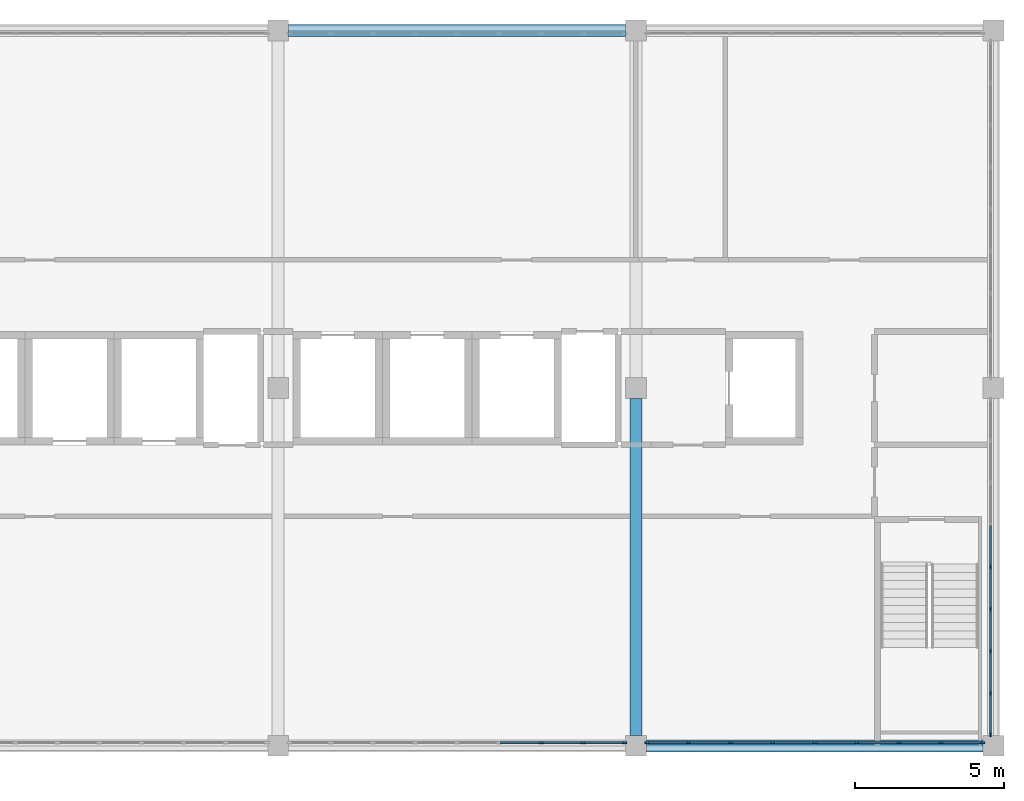
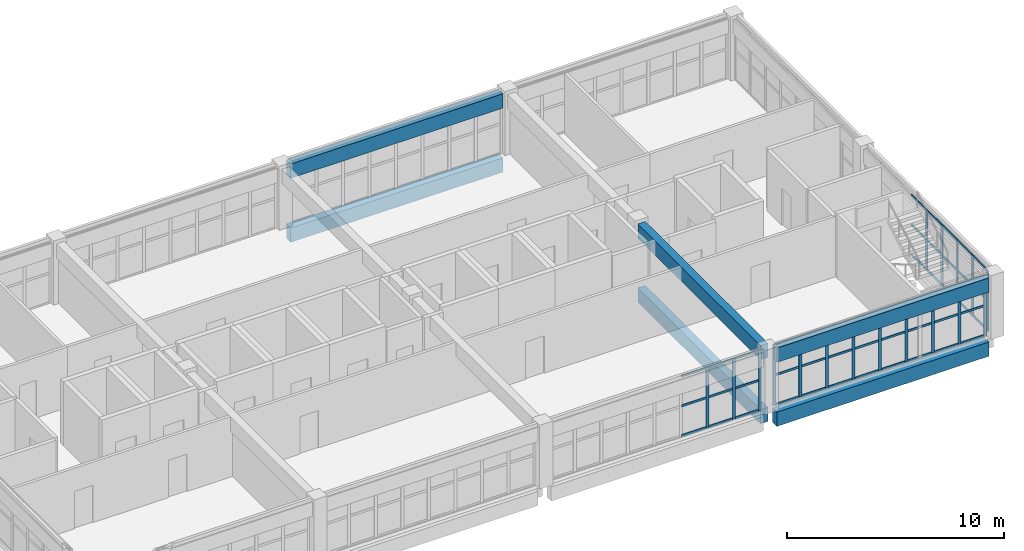
# One storey, part 7 of 16: 65 members, 6 beams, 3 elements without a shape of their own.
"""IFC4 building model written with IfcOpenShell, lengths in metres."""

from ifc_helpers import new_model, si_unit, direction, frame, origin, origin_2d, place, context, subcontext, project, spatial, rectangle, extrude, material, layer, layer_set, material_profile, profile_set, type_object, element, aggregate, save


model = new_model("IFC4")

# Units and contexts
model_context = context("Model", 3, precision=1e-05, world=origin(), true_north=direction((0.0, 1.0)))
body_context = subcontext(model_context, "Body", "Model", "MODEL_VIEW")
ifc_project = project(units=[si_unit("LENGTHUNIT", "METRE"), si_unit("AREAUNIT", "SQUARE_METRE"), si_unit("VOLUMEUNIT", "CUBIC_METRE"), si_unit("PLANEANGLEUNIT", "RADIAN"), si_unit("MASSUNIT", "GRAM", prefix="KILO")], contexts=[model_context])

# Site, building, storey
site_placement = place(None, origin())
site = spatial("IfcSite", under=ifc_project, at=site_placement, CompositionType="ELEMENT")
building_placement = place(site_placement, origin())
building = spatial("IfcBuilding", under=site, at=building_placement, Name="Lilac Gate Convention Centre", CompositionType="ELEMENT")
storey_placement = place(building_placement, frame((0.0, 0.0, 67.800048828125)))
storey = spatial("IfcBuildingStorey", under=building, at=storey_placement, Name="L17", CompositionType="ELEMENT", Elevation=67.800048828125)

# Curtain wall, members
ifc_material_1 = material(Name="Aluminium framed double glazing", Category="aluminium")
ifc_layer = layer(ifc_material_1, 0.199951171875)
ifc_layer_set = layer_set([ifc_layer], Name="Aluminium framed double glazing")
curtain_wall_type = type_object("IfcCurtainWallType", Name="Unitised curtain wall 1500", PredefinedType="NOTDEFINED", material=ifc_layer_set)
curtain_wall_1_placement = place(storey_placement, origin())
curtain_wall_1 = element("IfcCurtainWall", 1, at=curtain_wall_1_placement, inside=storey, type_object=curtain_wall_type, Name="Curtain wall S L17 3", PredefinedType="NOTDEFINED")
ifc_material_2 = material(Name="Aluminium alloy 6063", Category="aluminium")
ifc_material_profile_1 = material_profile(ifc_material_2, rectangle(XDim=0.06005859375, YDim=0.159912109375, at=origin_2d()), Name="Curtain wall mullion 60 x 160")
ifc_profile_set_1 = profile_set([ifc_material_profile_1], Name="Aluminium alloy 6063")
member_type_1 = type_object("IfcMemberType", Name="Curtain wall mullion 60 x 160", PredefinedType="MULLION", material=ifc_profile_set_1)
member_1_placement = place(storey_placement, frame((74.824951171875, 222.10009765625, 0.0), z_axis=(0.0, 0.0, 1.0), x_axis=(0.0, 1.0, 0.0)))
member_1 = element("IfcMember", 2, at=member_1_placement, type_object=member_type_1, Name="CW mullion 7", PredefinedType="MULLION", context=body_context, shape_type="SweptSolid", body=[
    extrude(rectangle(XDim=0.06005859375, YDim=0.159912109375, at=origin_2d()), origin(), (0.0, 0.0, 1.0), 3.39990234375),
])
member_2_placement = place(storey_placement, frame((76.237548828125, 222.10009765625, 0.0), z_axis=(0.0, 0.0, 1.0), x_axis=(0.0, 1.0, 0.0)))
member_2 = element("IfcMember", 3, at=member_2_placement, type_object=member_type_1, Name="CW mullion 8", PredefinedType="MULLION", context=body_context, shape_type="SweptSolid", body=[
    extrude(rectangle(XDim=0.06005859375, YDim=0.159912109375, at=origin_2d()), origin(), (0.0, 0.0, 1.0), 3.39990234375),
])
member_3_placement = place(storey_placement, frame((77.619873046875, 222.10009765625, 0.0), z_axis=(0.0, 0.0, 1.0), x_axis=(0.0, 1.0, 0.0)))
member_3 = element("IfcMember", 4, at=member_3_placement, type_object=member_type_1, Name="CW mullion 9", PredefinedType="MULLION", context=body_context, shape_type="SweptSolid", body=[
    extrude(rectangle(XDim=0.06005859375, YDim=0.159912109375, at=origin_2d()), origin(), (0.0, 0.0, 1.0), 3.39990234375),
])

curtain_wall_2_placement = place(storey_placement, origin())
curtain_wall_2 = element("IfcCurtainWall", 5, at=curtain_wall_2_placement, inside=storey, type_object=curtain_wall_type, Name="Curtain wall S L17 4", PredefinedType="NOTDEFINED")
member_4_placement = place(storey_placement, frame((78.380126953125, 222.10009765625, 0.0), z_axis=(0.0, 0.0, 1.0), x_axis=(0.0, 1.0, 0.0)))
member_4 = element("IfcMember", 6, at=member_4_placement, type_object=member_type_1, Name="CW mullion 1", PredefinedType="MULLION", context=body_context, shape_type="SweptSolid", body=[
    extrude(rectangle(XDim=0.06005859375, YDim=0.159912109375, at=origin_2d()), origin(), (0.0, 0.0, 1.0), 3.39990234375),
])
member_5_placement = place(storey_placement, frame((79.762451171875, 222.10009765625, 0.0), z_axis=(0.0, 0.0, 1.0), x_axis=(0.0, 1.0, 0.0)))
member_5 = element("IfcMember", 7, at=member_5_placement, type_object=member_type_1, Name="CW mullion 2", PredefinedType="MULLION", context=body_context, shape_type="SweptSolid", body=[
    extrude(rectangle(XDim=0.06005859375, YDim=0.159912109375, at=origin_2d()), origin(), (0.0, 0.0, 1.0), 3.39990234375),
])
member_6_placement = place(storey_placement, frame((81.175048828125, 222.10009765625, 0.0), z_axis=(0.0, 0.0, 1.0), x_axis=(0.0, 1.0, 0.0)))
member_6 = element("IfcMember", 8, at=member_6_placement, type_object=member_type_1, Name="CW mullion 3", PredefinedType="MULLION", context=body_context, shape_type="SweptSolid", body=[
    extrude(rectangle(XDim=0.06005859375, YDim=0.159912109375, at=origin_2d()), origin(), (0.0, 0.0, 1.0), 3.39990234375),
])
member_7_placement = place(storey_placement, frame((82.58740234375, 222.10009765625, 0.0), z_axis=(0.0, 0.0, 1.0), x_axis=(0.0, 1.0, 0.0)))
member_7 = element("IfcMember", 9, at=member_7_placement, type_object=member_type_1, Name="CW mullion 4", PredefinedType="MULLION", context=body_context, shape_type="SweptSolid", body=[
    extrude(rectangle(XDim=0.06005859375, YDim=0.159912109375, at=origin_2d()), origin(), (0.0, 0.0, 1.0), 3.39990234375),
])
member_8_placement = place(storey_placement, frame((84.0, 222.10009765625, 0.0), z_axis=(0.0, 0.0, 1.0), x_axis=(0.0, 1.0, 0.0)))
member_8 = element("IfcMember", 10, at=member_8_placement, type_object=member_type_1, Name="CW mullion 5", PredefinedType="MULLION", context=body_context, shape_type="SweptSolid", body=[
    extrude(rectangle(XDim=0.06005859375, YDim=0.159912109375, at=origin_2d()), origin(), (0.0, 0.0, 1.0), 3.39990234375),
])
member_9_placement = place(storey_placement, frame((85.41259765625, 222.10009765625, 0.0), z_axis=(0.0, 0.0, 1.0), x_axis=(0.0, 1.0, 0.0)))
member_9 = element("IfcMember", 11, at=member_9_placement, type_object=member_type_1, Name="CW mullion 6", PredefinedType="MULLION", context=body_context, shape_type="SweptSolid", body=[
    extrude(rectangle(XDim=0.06005859375, YDim=0.159912109375, at=origin_2d()), origin(), (0.0, 0.0, 1.0), 3.39990234375),
])
member_10_placement = place(storey_placement, frame((86.824951171875, 222.10009765625, 0.0), z_axis=(0.0, 0.0, 1.0), x_axis=(0.0, 1.0, 0.0)))
member_10 = element("IfcMember", 12, at=member_10_placement, type_object=member_type_1, Name="CW mullion 7", PredefinedType="MULLION", context=body_context, shape_type="SweptSolid", body=[
    extrude(rectangle(XDim=0.06005859375, YDim=0.159912109375, at=origin_2d()), origin(), (0.0, 0.0, 1.0), 3.39990234375),
])
member_11_placement = place(storey_placement, frame((88.237548828125, 222.10009765625, 0.0), z_axis=(0.0, 0.0, 1.0), x_axis=(0.0, 1.0, 0.0)))
member_11 = element("IfcMember", 13, at=member_11_placement, type_object=member_type_1, Name="CW mullion 8", PredefinedType="MULLION", context=body_context, shape_type="SweptSolid", body=[
    extrude(rectangle(XDim=0.06005859375, YDim=0.159912109375, at=origin_2d()), origin(), (0.0, 0.0, 1.0), 3.39990234375),
])
member_12_placement = place(storey_placement, frame((89.619873046875, 222.10009765625, 0.0), z_axis=(0.0, 0.0, 1.0), x_axis=(0.0, 1.0, 0.0)))
member_12 = element("IfcMember", 14, at=member_12_placement, type_object=member_type_1, Name="CW mullion 9", PredefinedType="MULLION", context=body_context, shape_type="SweptSolid", body=[
    extrude(rectangle(XDim=0.06005859375, YDim=0.159912109375, at=origin_2d()), origin(), (0.0, 0.0, 1.0), 3.39990234375),
])

curtain_wall_3_placement = place(storey_placement, origin())
curtain_wall_3 = element("IfcCurtainWall", 15, at=curtain_wall_3_placement, inside=storey, type_object=curtain_wall_type, Name="Curtain wall E L17 1", PredefinedType="NOTDEFINED")
member_13_placement = place(storey_placement, frame((89.89990234375, 222.380126953125, 0.0), z_axis=(0.0, 0.0, 1.0), x_axis=(-1.0, 0.0, 0.0)))
member_13 = element("IfcMember", 16, at=member_13_placement, type_object=member_type_1, Name="CW mullion 1", PredefinedType="MULLION", context=body_context, shape_type="SweptSolid", body=[
    extrude(rectangle(XDim=0.06005859375, YDim=0.159912109375, at=origin_2d()), origin(), (0.0, 0.0, 1.0), 3.39990234375),
])
member_14_placement = place(storey_placement, frame((89.89990234375, 223.762451171875, 0.0), z_axis=(0.0, 0.0, 1.0), x_axis=(-1.0, 0.0, 0.0)))
member_14 = element("IfcMember", 17, at=member_14_placement, type_object=member_type_1, Name="CW mullion 2", PredefinedType="MULLION", context=body_context, shape_type="SweptSolid", body=[
    extrude(rectangle(XDim=0.06005859375, YDim=0.159912109375, at=origin_2d()), origin(), (0.0, 0.0, 1.0), 3.39990234375),
])
member_15_placement = place(storey_placement, frame((89.89990234375, 225.175048828125, 0.0), z_axis=(0.0, 0.0, 1.0), x_axis=(-1.0, 0.0, 0.0)))
member_15 = element("IfcMember", 18, at=member_15_placement, type_object=member_type_1, Name="CW mullion 3", PredefinedType="MULLION", context=body_context, shape_type="SweptSolid", body=[
    extrude(rectangle(XDim=0.06005859375, YDim=0.159912109375, at=origin_2d()), origin(), (0.0, 0.0, 1.0), 3.39990234375),
])
member_16_placement = place(storey_placement, frame((89.89990234375, 226.58740234375, 0.0), z_axis=(0.0, 0.0, 1.0), x_axis=(-1.0, 0.0, 0.0)))
member_16 = element("IfcMember", 19, at=member_16_placement, type_object=member_type_1, Name="CW mullion 4", PredefinedType="MULLION", context=body_context, shape_type="SweptSolid", body=[
    extrude(rectangle(XDim=0.06005859375, YDim=0.159912109375, at=origin_2d()), origin(), (0.0, 0.0, 1.0), 3.39990234375),
])
member_17_placement = place(storey_placement, frame((89.89990234375, 228.0, 0.0), z_axis=(0.0, 0.0, 1.0), x_axis=(-1.0, 0.0, 0.0)))
member_17 = element("IfcMember", 20, at=member_17_placement, type_object=member_type_1, Name="CW mullion 5", PredefinedType="MULLION", context=body_context, shape_type="SweptSolid", body=[
    extrude(rectangle(XDim=0.06005859375, YDim=0.159912109375, at=origin_2d()), origin(), (0.0, 0.0, 1.0), 3.39990234375),
])

# Member
ifc_material_profile_2 = material_profile(ifc_material_2, rectangle(XDim=0.06005859375, YDim=0.1201171875, at=origin_2d()), Name="Curtain wall transom 60 x 120")
ifc_profile_set_2 = profile_set([ifc_material_profile_2], Name="Aluminium alloy 6063")
member_type_2 = type_object("IfcMemberType", Name="Curtain wall transom 60 x 120", PredefinedType="USERDEFINED", material=ifc_profile_set_2)
member_18_placement = place(storey_placement, frame((73.4423828125, 222.10009765625, 0.030029296875), z_axis=(1.0, 0.0, 0.0), x_axis=(0.0, 1.0, 0.0)))
member_18 = element("IfcMember", 21, at=member_18_placement, type_object=member_type_2, Name="CW transom 6.1", ObjectType="TRANSOM", PredefinedType="USERDEFINED", context=body_context, shape_type="SweptSolid", body=[
    extrude(rectangle(XDim=0.06005859375, YDim=0.1201171875, at=origin_2d()), origin(), (0.0, 0.0, 1.0), 1.3525390625),
])

member_19_placement = place(storey_placement, frame((73.4423828125, 222.10009765625, 1.699951171875), z_axis=(1.0, 0.0, 0.0), x_axis=(0.0, 1.0, 0.0)))
member_19 = element("IfcMember", 22, at=member_19_placement, type_object=member_type_2, Name="CW transom 6.2", ObjectType="TRANSOM", PredefinedType="USERDEFINED", context=body_context, shape_type="SweptSolid", body=[
    extrude(rectangle(XDim=0.06005859375, YDim=0.1201171875, at=origin_2d()), origin(), (0.0, 0.0, 1.0), 1.3525390625),
])

member_20_placement = place(storey_placement, frame((73.4423828125, 222.10009765625, 3.369873046875), z_axis=(1.0, 0.0, 0.0), x_axis=(0.0, 1.0, 0.0)))
member_20 = element("IfcMember", 23, at=member_20_placement, type_object=member_type_2, Name="CW transom 6.3", ObjectType="TRANSOM", PredefinedType="USERDEFINED", context=body_context, shape_type="SweptSolid", body=[
    extrude(rectangle(XDim=0.06005859375, YDim=0.1201171875, at=origin_2d()), origin(), (0.0, 0.0, 1.0), 1.3525390625),
])

member_21_placement = place(storey_placement, frame((74.85498046875, 222.10009765625, 0.030029296875), z_axis=(1.0, 0.0, 0.0), x_axis=(0.0, 1.0, 0.0)))
member_21 = element("IfcMember", 24, at=member_21_placement, type_object=member_type_2, Name="CW transom 7.1", ObjectType="TRANSOM", PredefinedType="USERDEFINED", context=body_context, shape_type="SweptSolid", body=[
    extrude(rectangle(XDim=0.06005859375, YDim=0.1201171875, at=origin_2d()), origin(), (0.0, 0.0, 1.0), 1.3525390625),
])

member_22_placement = place(storey_placement, frame((74.85498046875, 222.10009765625, 1.699951171875), z_axis=(1.0, 0.0, 0.0), x_axis=(0.0, 1.0, 0.0)))
member_22 = element("IfcMember", 25, at=member_22_placement, type_object=member_type_2, Name="CW transom 7.2", ObjectType="TRANSOM", PredefinedType="USERDEFINED", context=body_context, shape_type="SweptSolid", body=[
    extrude(rectangle(XDim=0.06005859375, YDim=0.1201171875, at=origin_2d()), origin(), (0.0, 0.0, 1.0), 1.3525390625),
])

member_23_placement = place(storey_placement, frame((74.85498046875, 222.10009765625, 3.369873046875), z_axis=(1.0, 0.0, 0.0), x_axis=(0.0, 1.0, 0.0)))
member_23 = element("IfcMember", 26, at=member_23_placement, type_object=member_type_2, Name="CW transom 7.3", ObjectType="TRANSOM", PredefinedType="USERDEFINED", context=body_context, shape_type="SweptSolid", body=[
    extrude(rectangle(XDim=0.06005859375, YDim=0.1201171875, at=origin_2d()), origin(), (0.0, 0.0, 1.0), 1.3525390625),
])

member_24_placement = place(storey_placement, frame((76.267333984375, 222.10009765625, 0.030029296875), z_axis=(1.0, 0.0, 0.0), x_axis=(0.0, 1.0, 0.0)))
member_24 = element("IfcMember", 27, at=member_24_placement, type_object=member_type_2, Name="CW transom 8.1", ObjectType="TRANSOM", PredefinedType="USERDEFINED", context=body_context, shape_type="SweptSolid", body=[
    extrude(rectangle(XDim=0.06005859375, YDim=0.1201171875, at=origin_2d()), origin(), (0.0, 0.0, 1.0), 1.322509765625),
])

member_25_placement = place(storey_placement, frame((76.267333984375, 222.10009765625, 1.699951171875), z_axis=(1.0, 0.0, 0.0), x_axis=(0.0, 1.0, 0.0)))
member_25 = element("IfcMember", 28, at=member_25_placement, type_object=member_type_2, Name="CW transom 8.2", ObjectType="TRANSOM", PredefinedType="USERDEFINED", context=body_context, shape_type="SweptSolid", body=[
    extrude(rectangle(XDim=0.06005859375, YDim=0.1201171875, at=origin_2d()), origin(), (0.0, 0.0, 1.0), 1.322509765625),
])

member_26_placement = place(storey_placement, frame((76.267333984375, 222.10009765625, 3.369873046875), z_axis=(1.0, 0.0, 0.0), x_axis=(0.0, 1.0, 0.0)))
member_26 = element("IfcMember", 29, at=member_26_placement, type_object=member_type_2, Name="CW transom 8.3", ObjectType="TRANSOM", PredefinedType="USERDEFINED", context=body_context, shape_type="SweptSolid", body=[
    extrude(rectangle(XDim=0.06005859375, YDim=0.1201171875, at=origin_2d()), origin(), (0.0, 0.0, 1.0), 1.322509765625),
])

aggregate(curtain_wall_1, [member_1, member_2, member_3, member_18, member_19, member_20, member_21, member_22, member_23, member_24, member_25, member_26])

member_27_placement = place(storey_placement, frame((78.41015625, 222.10009765625, 0.030029296875), z_axis=(1.0, 0.0, 0.0), x_axis=(0.0, 1.0, 0.0)))
member_27 = element("IfcMember", 30, at=member_27_placement, type_object=member_type_2, Name="CW transom 1.1", ObjectType="TRANSOM", PredefinedType="USERDEFINED", context=body_context, shape_type="SweptSolid", body=[
    extrude(rectangle(XDim=0.06005859375, YDim=0.1201171875, at=origin_2d()), origin(), (0.0, 0.0, 1.0), 1.322509765625),
])

member_28_placement = place(storey_placement, frame((78.41015625, 222.10009765625, 1.699951171875), z_axis=(1.0, 0.0, 0.0), x_axis=(0.0, 1.0, 0.0)))
member_28 = element("IfcMember", 31, at=member_28_placement, type_object=member_type_2, Name="CW transom 1.2", ObjectType="TRANSOM", PredefinedType="USERDEFINED", context=body_context, shape_type="SweptSolid", body=[
    extrude(rectangle(XDim=0.06005859375, YDim=0.1201171875, at=origin_2d()), origin(), (0.0, 0.0, 1.0), 1.322509765625),
])

member_29_placement = place(storey_placement, frame((78.41015625, 222.10009765625, 3.369873046875), z_axis=(1.0, 0.0, 0.0), x_axis=(0.0, 1.0, 0.0)))
member_29 = element("IfcMember", 32, at=member_29_placement, type_object=member_type_2, Name="CW transom 1.3", ObjectType="TRANSOM", PredefinedType="USERDEFINED", context=body_context, shape_type="SweptSolid", body=[
    extrude(rectangle(XDim=0.06005859375, YDim=0.1201171875, at=origin_2d()), origin(), (0.0, 0.0, 1.0), 1.322509765625),
])

member_30_placement = place(storey_placement, frame((79.79248046875, 222.10009765625, 0.030029296875), z_axis=(1.0, 0.0, 0.0), x_axis=(0.0, 1.0, 0.0)))
member_30 = element("IfcMember", 33, at=member_30_placement, type_object=member_type_2, Name="CW transom 2.1", ObjectType="TRANSOM", PredefinedType="USERDEFINED", context=body_context, shape_type="SweptSolid", body=[
    extrude(rectangle(XDim=0.06005859375, YDim=0.1201171875, at=origin_2d()), origin(), (0.0, 0.0, 1.0), 1.3525390625),
])

member_31_placement = place(storey_placement, frame((79.79248046875, 222.10009765625, 1.699951171875), z_axis=(1.0, 0.0, 0.0), x_axis=(0.0, 1.0, 0.0)))
member_31 = element("IfcMember", 34, at=member_31_placement, type_object=member_type_2, Name="CW transom 2.2", ObjectType="TRANSOM", PredefinedType="USERDEFINED", context=body_context, shape_type="SweptSolid", body=[
    extrude(rectangle(XDim=0.06005859375, YDim=0.1201171875, at=origin_2d()), origin(), (0.0, 0.0, 1.0), 1.3525390625),
])

member_32_placement = place(storey_placement, frame((79.79248046875, 222.10009765625, 3.369873046875), z_axis=(1.0, 0.0, 0.0), x_axis=(0.0, 1.0, 0.0)))
member_32 = element("IfcMember", 35, at=member_32_placement, type_object=member_type_2, Name="CW transom 2.3", ObjectType="TRANSOM", PredefinedType="USERDEFINED", context=body_context, shape_type="SweptSolid", body=[
    extrude(rectangle(XDim=0.06005859375, YDim=0.1201171875, at=origin_2d()), origin(), (0.0, 0.0, 1.0), 1.3525390625),
])

member_33_placement = place(storey_placement, frame((81.205078125, 222.10009765625, 0.030029296875), z_axis=(1.0, 0.0, 0.0), x_axis=(0.0, 1.0, 0.0)))
member_33 = element("IfcMember", 36, at=member_33_placement, type_object=member_type_2, Name="CW transom 3.1", ObjectType="TRANSOM", PredefinedType="USERDEFINED", context=body_context, shape_type="SweptSolid", body=[
    extrude(rectangle(XDim=0.06005859375, YDim=0.1201171875, at=origin_2d()), origin(), (0.0, 0.0, 1.0), 1.3525390625),
])

member_34_placement = place(storey_placement, frame((81.205078125, 222.10009765625, 1.699951171875), z_axis=(1.0, 0.0, 0.0), x_axis=(0.0, 1.0, 0.0)))
member_34 = element("IfcMember", 37, at=member_34_placement, type_object=member_type_2, Name="CW transom 3.2", ObjectType="TRANSOM", PredefinedType="USERDEFINED", context=body_context, shape_type="SweptSolid", body=[
    extrude(rectangle(XDim=0.06005859375, YDim=0.1201171875, at=origin_2d()), origin(), (0.0, 0.0, 1.0), 1.3525390625),
])

member_35_placement = place(storey_placement, frame((81.205078125, 222.10009765625, 3.369873046875), z_axis=(1.0, 0.0, 0.0), x_axis=(0.0, 1.0, 0.0)))
member_35 = element("IfcMember", 38, at=member_35_placement, type_object=member_type_2, Name="CW transom 3.3", ObjectType="TRANSOM", PredefinedType="USERDEFINED", context=body_context, shape_type="SweptSolid", body=[
    extrude(rectangle(XDim=0.06005859375, YDim=0.1201171875, at=origin_2d()), origin(), (0.0, 0.0, 1.0), 1.3525390625),
])

member_36_placement = place(storey_placement, frame((82.617431640625, 222.10009765625, 0.030029296875), z_axis=(1.0, 0.0, 0.0), x_axis=(0.0, 1.0, 0.0)))
member_36 = element("IfcMember", 39, at=member_36_placement, type_object=member_type_2, Name="CW transom 4.1", ObjectType="TRANSOM", PredefinedType="USERDEFINED", context=body_context, shape_type="SweptSolid", body=[
    extrude(rectangle(XDim=0.06005859375, YDim=0.1201171875, at=origin_2d()), origin(), (0.0, 0.0, 1.0), 1.3525390625),
])

member_37_placement = place(storey_placement, frame((82.617431640625, 222.10009765625, 1.699951171875), z_axis=(1.0, 0.0, 0.0), x_axis=(0.0, 1.0, 0.0)))
member_37 = element("IfcMember", 40, at=member_37_placement, type_object=member_type_2, Name="CW transom 4.2", ObjectType="TRANSOM", PredefinedType="USERDEFINED", context=body_context, shape_type="SweptSolid", body=[
    extrude(rectangle(XDim=0.06005859375, YDim=0.1201171875, at=origin_2d()), origin(), (0.0, 0.0, 1.0), 1.3525390625),
])

member_38_placement = place(storey_placement, frame((82.617431640625, 222.10009765625, 3.369873046875), z_axis=(1.0, 0.0, 0.0), x_axis=(0.0, 1.0, 0.0)))
member_38 = element("IfcMember", 41, at=member_38_placement, type_object=member_type_2, Name="CW transom 4.3", ObjectType="TRANSOM", PredefinedType="USERDEFINED", context=body_context, shape_type="SweptSolid", body=[
    extrude(rectangle(XDim=0.06005859375, YDim=0.1201171875, at=origin_2d()), origin(), (0.0, 0.0, 1.0), 1.3525390625),
])

member_39_placement = place(storey_placement, frame((84.030029296875, 222.10009765625, 0.030029296875), z_axis=(1.0, 0.0, 0.0), x_axis=(0.0, 1.0, 0.0)))
member_39 = element("IfcMember", 42, at=member_39_placement, type_object=member_type_2, Name="CW transom 5.1", ObjectType="TRANSOM", PredefinedType="USERDEFINED", context=body_context, shape_type="SweptSolid", body=[
    extrude(rectangle(XDim=0.06005859375, YDim=0.1201171875, at=origin_2d()), origin(), (0.0, 0.0, 1.0), 1.3525390625),
])

member_40_placement = place(storey_placement, frame((84.030029296875, 222.10009765625, 1.699951171875), z_axis=(1.0, 0.0, 0.0), x_axis=(0.0, 1.0, 0.0)))
member_40 = element("IfcMember", 43, at=member_40_placement, type_object=member_type_2, Name="CW transom 5.2", ObjectType="TRANSOM", PredefinedType="USERDEFINED", context=body_context, shape_type="SweptSolid", body=[
    extrude(rectangle(XDim=0.06005859375, YDim=0.1201171875, at=origin_2d()), origin(), (0.0, 0.0, 1.0), 1.3525390625),
])

member_41_placement = place(storey_placement, frame((84.030029296875, 222.10009765625, 3.369873046875), z_axis=(1.0, 0.0, 0.0), x_axis=(0.0, 1.0, 0.0)))
member_41 = element("IfcMember", 44, at=member_41_placement, type_object=member_type_2, Name="CW transom 5.3", ObjectType="TRANSOM", PredefinedType="USERDEFINED", context=body_context, shape_type="SweptSolid", body=[
    extrude(rectangle(XDim=0.06005859375, YDim=0.1201171875, at=origin_2d()), origin(), (0.0, 0.0, 1.0), 1.3525390625),
])

member_42_placement = place(storey_placement, frame((85.4423828125, 222.10009765625, 0.030029296875), z_axis=(1.0, 0.0, 0.0), x_axis=(0.0, 1.0, 0.0)))
member_42 = element("IfcMember", 45, at=member_42_placement, type_object=member_type_2, Name="CW transom 6.1", ObjectType="TRANSOM", PredefinedType="USERDEFINED", context=body_context, shape_type="SweptSolid", body=[
    extrude(rectangle(XDim=0.06005859375, YDim=0.1201171875, at=origin_2d()), origin(), (0.0, 0.0, 1.0), 1.3525390625),
])

member_43_placement = place(storey_placement, frame((85.4423828125, 222.10009765625, 1.699951171875), z_axis=(1.0, 0.0, 0.0), x_axis=(0.0, 1.0, 0.0)))
member_43 = element("IfcMember", 46, at=member_43_placement, type_object=member_type_2, Name="CW transom 6.2", ObjectType="TRANSOM", PredefinedType="USERDEFINED", context=body_context, shape_type="SweptSolid", body=[
    extrude(rectangle(XDim=0.06005859375, YDim=0.1201171875, at=origin_2d()), origin(), (0.0, 0.0, 1.0), 1.3525390625),
])

member_44_placement = place(storey_placement, frame((85.4423828125, 222.10009765625, 3.369873046875), z_axis=(1.0, 0.0, 0.0), x_axis=(0.0, 1.0, 0.0)))
member_44 = element("IfcMember", 47, at=member_44_placement, type_object=member_type_2, Name="CW transom 6.3", ObjectType="TRANSOM", PredefinedType="USERDEFINED", context=body_context, shape_type="SweptSolid", body=[
    extrude(rectangle(XDim=0.06005859375, YDim=0.1201171875, at=origin_2d()), origin(), (0.0, 0.0, 1.0), 1.3525390625),
])

member_45_placement = place(storey_placement, frame((86.85498046875, 222.10009765625, 0.030029296875), z_axis=(1.0, 0.0, 0.0), x_axis=(0.0, 1.0, 0.0)))
member_45 = element("IfcMember", 48, at=member_45_placement, type_object=member_type_2, Name="CW transom 7.1", ObjectType="TRANSOM", PredefinedType="USERDEFINED", context=body_context, shape_type="SweptSolid", body=[
    extrude(rectangle(XDim=0.06005859375, YDim=0.1201171875, at=origin_2d()), origin(), (0.0, 0.0, 1.0), 1.3525390625),
])

member_46_placement = place(storey_placement, frame((86.85498046875, 222.10009765625, 1.699951171875), z_axis=(1.0, 0.0, 0.0), x_axis=(0.0, 1.0, 0.0)))
member_46 = element("IfcMember", 49, at=member_46_placement, type_object=member_type_2, Name="CW transom 7.2", ObjectType="TRANSOM", PredefinedType="USERDEFINED", context=body_context, shape_type="SweptSolid", body=[
    extrude(rectangle(XDim=0.06005859375, YDim=0.1201171875, at=origin_2d()), origin(), (0.0, 0.0, 1.0), 1.3525390625),
])

member_47_placement = place(storey_placement, frame((86.85498046875, 222.10009765625, 3.369873046875), z_axis=(1.0, 0.0, 0.0), x_axis=(0.0, 1.0, 0.0)))
member_47 = element("IfcMember", 50, at=member_47_placement, type_object=member_type_2, Name="CW transom 7.3", ObjectType="TRANSOM", PredefinedType="USERDEFINED", context=body_context, shape_type="SweptSolid", body=[
    extrude(rectangle(XDim=0.06005859375, YDim=0.1201171875, at=origin_2d()), origin(), (0.0, 0.0, 1.0), 1.3525390625),
])

member_48_placement = place(storey_placement, frame((88.267333984375, 222.10009765625, 0.030029296875), z_axis=(1.0, 0.0, 0.0), x_axis=(0.0, 1.0, 0.0)))
member_48 = element("IfcMember", 51, at=member_48_placement, type_object=member_type_2, Name="CW transom 8.1", ObjectType="TRANSOM", PredefinedType="USERDEFINED", context=body_context, shape_type="SweptSolid", body=[
    extrude(rectangle(XDim=0.06005859375, YDim=0.1201171875, at=origin_2d()), origin(), (0.0, 0.0, 1.0), 1.322509765625),
])

member_49_placement = place(storey_placement, frame((88.267333984375, 222.10009765625, 1.699951171875), z_axis=(1.0, 0.0, 0.0), x_axis=(0.0, 1.0, 0.0)))
member_49 = element("IfcMember", 52, at=member_49_placement, type_object=member_type_2, Name="CW transom 8.2", ObjectType="TRANSOM", PredefinedType="USERDEFINED", context=body_context, shape_type="SweptSolid", body=[
    extrude(rectangle(XDim=0.06005859375, YDim=0.1201171875, at=origin_2d()), origin(), (0.0, 0.0, 1.0), 1.322509765625),
])

member_50_placement = place(storey_placement, frame((88.267333984375, 222.10009765625, 3.369873046875), z_axis=(1.0, 0.0, 0.0), x_axis=(0.0, 1.0, 0.0)))
member_50 = element("IfcMember", 53, at=member_50_placement, type_object=member_type_2, Name="CW transom 8.3", ObjectType="TRANSOM", PredefinedType="USERDEFINED", context=body_context, shape_type="SweptSolid", body=[
    extrude(rectangle(XDim=0.06005859375, YDim=0.1201171875, at=origin_2d()), origin(), (0.0, 0.0, 1.0), 1.322509765625),
])

aggregate(curtain_wall_2, [member_4, member_5, member_6, member_7, member_8, member_9, member_10, member_11, member_12, member_27, member_28, member_29, member_30, member_31, member_32, member_33, member_34, member_35, member_36, member_37, member_38, member_39, member_40, member_41, member_42, member_43, member_44, member_45, member_46, member_47, member_48, member_49, member_50])

member_51_placement = place(storey_placement, frame((89.89990234375, 222.41015625, 0.030029296875), z_axis=(0.0, 1.0, 0.0), x_axis=(-1.0, 0.0, 0.0)))
member_51 = element("IfcMember", 54, at=member_51_placement, type_object=member_type_2, Name="CW transom 1.1", ObjectType="TRANSOM", PredefinedType="USERDEFINED", context=body_context, shape_type="SweptSolid", body=[
    extrude(rectangle(XDim=0.06005859375, YDim=0.1201171875, at=origin_2d()), origin(), (0.0, 0.0, 1.0), 1.322509765625),
])

member_52_placement = place(storey_placement, frame((89.89990234375, 222.41015625, 1.699951171875), z_axis=(0.0, 1.0, 0.0), x_axis=(-1.0, 0.0, 0.0)))
member_52 = element("IfcMember", 55, at=member_52_placement, type_object=member_type_2, Name="CW transom 1.2", ObjectType="TRANSOM", PredefinedType="USERDEFINED", context=body_context, shape_type="SweptSolid", body=[
    extrude(rectangle(XDim=0.06005859375, YDim=0.1201171875, at=origin_2d()), origin(), (0.0, 0.0, 1.0), 1.322509765625),
])

member_53_placement = place(storey_placement, frame((89.89990234375, 222.41015625, 3.369873046875), z_axis=(0.0, 1.0, 0.0), x_axis=(-1.0, 0.0, 0.0)))
member_53 = element("IfcMember", 56, at=member_53_placement, type_object=member_type_2, Name="CW transom 1.3", ObjectType="TRANSOM", PredefinedType="USERDEFINED", context=body_context, shape_type="SweptSolid", body=[
    extrude(rectangle(XDim=0.06005859375, YDim=0.1201171875, at=origin_2d()), origin(), (0.0, 0.0, 1.0), 1.322509765625),
])

member_54_placement = place(storey_placement, frame((89.89990234375, 223.79248046875, 0.030029296875), z_axis=(0.0, 1.0, 0.0), x_axis=(-1.0, 0.0, 0.0)))
member_54 = element("IfcMember", 57, at=member_54_placement, type_object=member_type_2, Name="CW transom 2.1", ObjectType="TRANSOM", PredefinedType="USERDEFINED", context=body_context, shape_type="SweptSolid", body=[
    extrude(rectangle(XDim=0.06005859375, YDim=0.1201171875, at=origin_2d()), origin(), (0.0, 0.0, 1.0), 1.3525390625),
])

member_55_placement = place(storey_placement, frame((89.89990234375, 223.79248046875, 1.699951171875), z_axis=(0.0, 1.0, 0.0), x_axis=(-1.0, 0.0, 0.0)))
member_55 = element("IfcMember", 58, at=member_55_placement, type_object=member_type_2, Name="CW transom 2.2", ObjectType="TRANSOM", PredefinedType="USERDEFINED", context=body_context, shape_type="SweptSolid", body=[
    extrude(rectangle(XDim=0.06005859375, YDim=0.1201171875, at=origin_2d()), origin(), (0.0, 0.0, 1.0), 1.3525390625),
])

member_56_placement = place(storey_placement, frame((89.89990234375, 223.79248046875, 3.369873046875), z_axis=(0.0, 1.0, 0.0), x_axis=(-1.0, 0.0, 0.0)))
member_56 = element("IfcMember", 59, at=member_56_placement, type_object=member_type_2, Name="CW transom 2.3", ObjectType="TRANSOM", PredefinedType="USERDEFINED", context=body_context, shape_type="SweptSolid", body=[
    extrude(rectangle(XDim=0.06005859375, YDim=0.1201171875, at=origin_2d()), origin(), (0.0, 0.0, 1.0), 1.3525390625),
])

member_57_placement = place(storey_placement, frame((89.89990234375, 225.205078125, 0.030029296875), z_axis=(0.0, 1.0, 0.0), x_axis=(-1.0, 0.0, 0.0)))
member_57 = element("IfcMember", 60, at=member_57_placement, type_object=member_type_2, Name="CW transom 3.1", ObjectType="TRANSOM", PredefinedType="USERDEFINED", context=body_context, shape_type="SweptSolid", body=[
    extrude(rectangle(XDim=0.06005859375, YDim=0.1201171875, at=origin_2d()), origin(), (0.0, 0.0, 1.0), 1.3525390625),
])

member_58_placement = place(storey_placement, frame((89.89990234375, 225.205078125, 1.699951171875), z_axis=(0.0, 1.0, 0.0), x_axis=(-1.0, 0.0, 0.0)))
member_58 = element("IfcMember", 61, at=member_58_placement, type_object=member_type_2, Name="CW transom 3.2", ObjectType="TRANSOM", PredefinedType="USERDEFINED", context=body_context, shape_type="SweptSolid", body=[
    extrude(rectangle(XDim=0.06005859375, YDim=0.1201171875, at=origin_2d()), origin(), (0.0, 0.0, 1.0), 1.3525390625),
])

member_59_placement = place(storey_placement, frame((89.89990234375, 225.205078125, 3.369873046875), z_axis=(0.0, 1.0, 0.0), x_axis=(-1.0, 0.0, 0.0)))
member_59 = element("IfcMember", 62, at=member_59_placement, type_object=member_type_2, Name="CW transom 3.3", ObjectType="TRANSOM", PredefinedType="USERDEFINED", context=body_context, shape_type="SweptSolid", body=[
    extrude(rectangle(XDim=0.06005859375, YDim=0.1201171875, at=origin_2d()), origin(), (0.0, 0.0, 1.0), 1.3525390625),
])

member_60_placement = place(storey_placement, frame((89.89990234375, 226.617431640625, 0.030029296875), z_axis=(0.0, 1.0, 0.0), x_axis=(-1.0, 0.0, 0.0)))
member_60 = element("IfcMember", 63, at=member_60_placement, type_object=member_type_2, Name="CW transom 4.1", ObjectType="TRANSOM", PredefinedType="USERDEFINED", context=body_context, shape_type="SweptSolid", body=[
    extrude(rectangle(XDim=0.06005859375, YDim=0.1201171875, at=origin_2d()), origin(), (0.0, 0.0, 1.0), 1.3525390625),
])

member_61_placement = place(storey_placement, frame((89.89990234375, 226.617431640625, 1.699951171875), z_axis=(0.0, 1.0, 0.0), x_axis=(-1.0, 0.0, 0.0)))
member_61 = element("IfcMember", 64, at=member_61_placement, type_object=member_type_2, Name="CW transom 4.2", ObjectType="TRANSOM", PredefinedType="USERDEFINED", context=body_context, shape_type="SweptSolid", body=[
    extrude(rectangle(XDim=0.06005859375, YDim=0.1201171875, at=origin_2d()), origin(), (0.0, 0.0, 1.0), 1.3525390625),
])

member_62_placement = place(storey_placement, frame((89.89990234375, 226.617431640625, 3.369873046875), z_axis=(0.0, 1.0, 0.0), x_axis=(-1.0, 0.0, 0.0)))
member_62 = element("IfcMember", 65, at=member_62_placement, type_object=member_type_2, Name="CW transom 4.3", ObjectType="TRANSOM", PredefinedType="USERDEFINED", context=body_context, shape_type="SweptSolid", body=[
    extrude(rectangle(XDim=0.06005859375, YDim=0.1201171875, at=origin_2d()), origin(), (0.0, 0.0, 1.0), 1.3525390625),
])

member_63_placement = place(storey_placement, frame((89.89990234375, 228.030029296875, 0.030029296875), z_axis=(0.0, 1.0, 0.0), x_axis=(-1.0, 0.0, 0.0)))
member_63 = element("IfcMember", 66, at=member_63_placement, type_object=member_type_2, Name="CW transom 5.1", ObjectType="TRANSOM", PredefinedType="USERDEFINED", context=body_context, shape_type="SweptSolid", body=[
    extrude(rectangle(XDim=0.06005859375, YDim=0.1201171875, at=origin_2d()), origin(), (0.0, 0.0, 1.0), 1.3525390625),
])

member_64_placement = place(storey_placement, frame((89.89990234375, 228.030029296875, 1.699951171875), z_axis=(0.0, 1.0, 0.0), x_axis=(-1.0, 0.0, 0.0)))
member_64 = element("IfcMember", 67, at=member_64_placement, type_object=member_type_2, Name="CW transom 5.2", ObjectType="TRANSOM", PredefinedType="USERDEFINED", context=body_context, shape_type="SweptSolid", body=[
    extrude(rectangle(XDim=0.06005859375, YDim=0.1201171875, at=origin_2d()), origin(), (0.0, 0.0, 1.0), 1.3525390625),
])

member_65_placement = place(storey_placement, frame((89.89990234375, 228.030029296875, 3.369873046875), z_axis=(0.0, 1.0, 0.0), x_axis=(-1.0, 0.0, 0.0)))
member_65 = element("IfcMember", 68, at=member_65_placement, type_object=member_type_2, Name="CW transom 5.3", ObjectType="TRANSOM", PredefinedType="USERDEFINED", context=body_context, shape_type="SweptSolid", body=[
    extrude(rectangle(XDim=0.06005859375, YDim=0.1201171875, at=origin_2d()), origin(), (0.0, 0.0, 1.0), 1.3525390625),
])

aggregate(curtain_wall_3, [member_13, member_14, member_15, member_16, member_17, member_51, member_52, member_53, member_54, member_55, member_56, member_57, member_58, member_59, member_60, member_61, member_62, member_63, member_64, member_65])

# Beams
ifc_material_3 = material(Name="Concrete C40", Category="concrete")
ifc_material_profile_3 = material_profile(ifc_material_3, rectangle(XDim=0.39990234375, YDim=0.800048828125, at=origin_2d()), Name="RC 400x800")
ifc_profile_set_3 = profile_set([ifc_material_profile_3], Name="Concrete C40")
beam_type = type_object("IfcBeamType", Name="Tower primary beam 400x800 C40", PredefinedType="BEAM", material=ifc_profile_set_3)
for number, where, z_axis, x_axis, name in (
    (69, (78.35009765625, 222.0, -0.60009765625), (1.0, 0.0, 0.0), (0.0, 1.0, 0.0), "RB3 L17 7/S-8/S"),
    (70, (66.35009765625, 246.0, -0.60009765625), (1.0, 0.0, 0.0), (0.0, 1.0, 0.0), "RB3 L17 6/U-7/U"),
    (71, (78.0, 222.35009765625, -0.60009765625), (0.0, 1.0, 0.0), (-1.0, 0.0, 0.0), "RB3 L17 7/S-7/T"),
    (72, (78.35009765625, 222.0, 3.0), (1.0, 0.0, 0.0), (0.0, 1.0, 0.0), "RB3 L17 7/S-8/S"),
    (73, (66.35009765625, 246.0, 3.0), (1.0, 0.0, 0.0), (0.0, 1.0, 0.0), "RB3 L17 6/U-7/U"),
    (74, (78.0, 222.35009765625, 3.0), (0.0, 1.0, 0.0), (-1.0, 0.0, 0.0), "RB3 L17 7/S-7/T"),
):
    element("IfcBeam", number, at=place(storey_placement, frame(where, z_axis=z_axis, x_axis=x_axis)), inside=storey, type_object=beam_type, Name=name, PredefinedType="BEAM", context=body_context, shape_type="SweptSolid", body=[
        extrude(rectangle(XDim=0.39990234375, YDim=0.800048828125, at=origin_2d()), origin(), (0.0, 0.0, 1.0), 11.2998046875),
    ])

save(model, "model.ifc")
